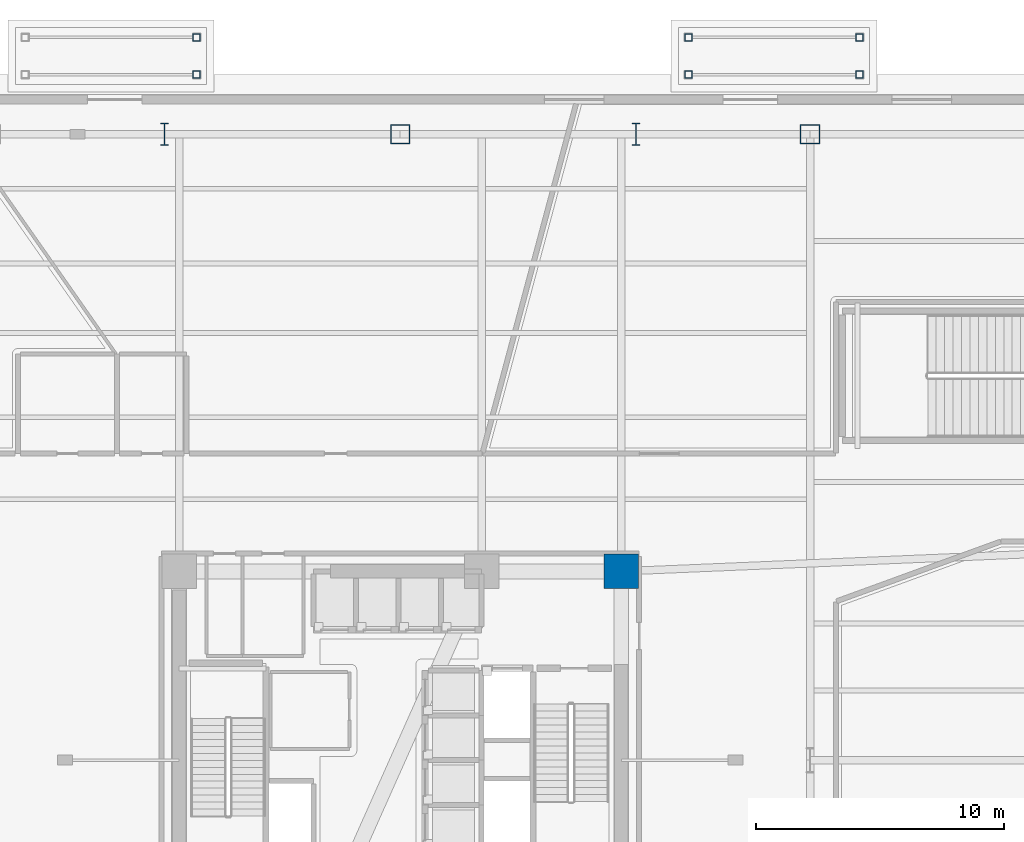
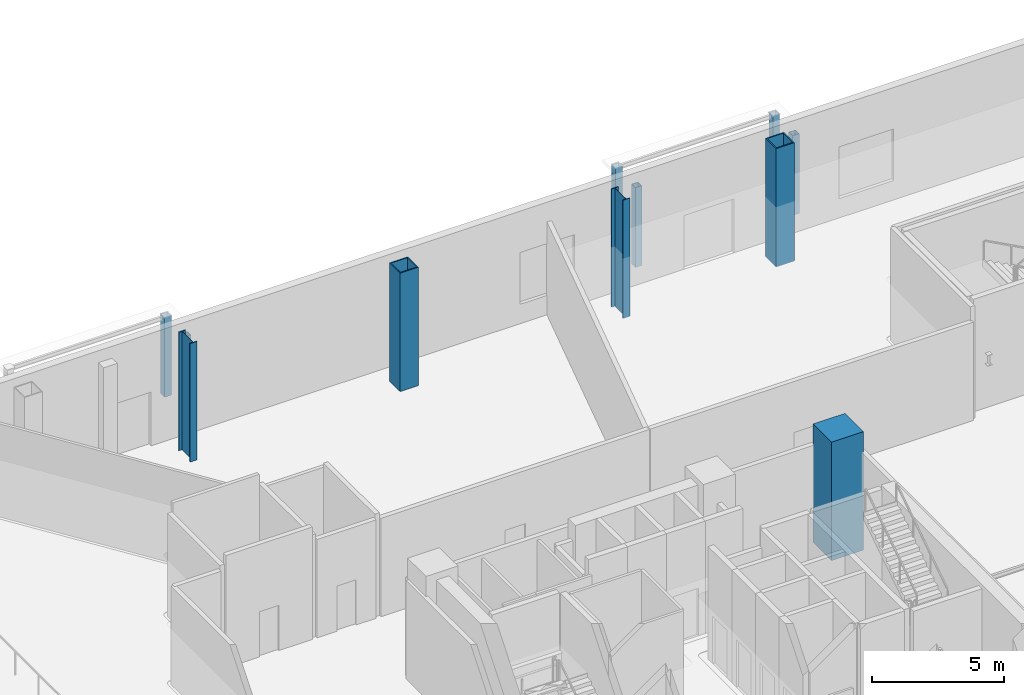
# One storey, part 5 of 27: 11 columns.
"""IFC4 building model written with IfcOpenShell, lengths in metres."""

from ifc_helpers import new_model, si_unit, direction, frame, origin, origin_2d, place, context, subcontext, project, spatial, rectangle, hollow_rectangle, i_section, extrude, material, material_profile, profile_set, type_object, element, save


model = new_model("IFC4")

# Units and contexts
model_context = context("Model", 3, precision=1e-05, world=origin(), true_north=direction((0.0, 1.0)))
body_context = subcontext(model_context, "Body", "Model", "MODEL_VIEW")
ifc_project = project(units=[si_unit("LENGTHUNIT", "METRE"), si_unit("AREAUNIT", "SQUARE_METRE"), si_unit("VOLUMEUNIT", "CUBIC_METRE"), si_unit("PLANEANGLEUNIT", "RADIAN"), si_unit("MASSUNIT", "GRAM", prefix="KILO")], contexts=[model_context])

# Site, building, storey
site_placement = place(None, origin())
site = spatial("IfcSite", under=ifc_project, at=site_placement, CompositionType="ELEMENT")
building_placement = place(site_placement, origin())
building = spatial("IfcBuilding", under=site, at=building_placement, Name="Tharavind Bronze Gate", CompositionType="ELEMENT")
storey_placement = place(building_placement, origin())
storey = spatial("IfcBuildingStorey", under=building, at=storey_placement, Name="L00", CompositionType="ELEMENT", Elevation=0.0)

# Columns
ifc_material_1 = material(Name="Concrete C70/85", Category="concrete")
ifc_material_profile_1 = material_profile(ifc_material_1, rectangle(XDim=1.39990234375, YDim=1.39990234375, at=origin_2d()), Name="RCCOL1400")
ifc_profile_set_1 = profile_set([ifc_material_profile_1], Name="Concrete C70/85")
column_type_1 = type_object("IfcColumnType", Name="MEGA CORE COLUMN 1400", PredefinedType="COLUMN", material=ifc_profile_set_1)
column_placement = place(storey_placement, frame((8.89990234375, 7.60009765625, 0.0), z_axis=(0.0, 0.0, 1.0), x_axis=(1.0, 0.0, 0.0)))
element("IfcColumn", 1, at=column_placement, inside=storey, type_object=column_type_1, Name="L00 core mega column MC4", PredefinedType="COLUMN", context=body_context, shape_type="SweptSolid", body=[
    extrude(rectangle(XDim=1.39990234375, YDim=1.39990234375, at=origin_2d()), origin(), (0.0, 0.0, 1.0), 5.5),
])
ifc_material_2 = material(Name="Steel S460", Category="steel")
ifc_material_profile_2 = material_profile(ifc_material_2, hollow_rectangle(XDim=0.300048828125, YDim=0.300048828125, WallThickness=0.02001953125, at=origin_2d()), Name="SHS300X20")
ifc_profile_set_2 = profile_set([ifc_material_profile_2], Name="Steel S460")
column_type_2 = type_object("IfcColumnType", Name="PERIMETER BOX COLUMN SHS300", PredefinedType="COLUMN", material=ifc_profile_set_2)
for number, where, z_axis, x_axis, name in (
    (2, (-8.199951171875, 27.60009765625, 0.0), (0.0, 0.0, 1.0), (1.0, 0.0, 0.0), "L00 canopy support post CN3B"),
    (3, (-8.199951171875, 29.10009765625, 0.0), (0.0, 0.0, 1.0), (1.0, 0.0, 0.0), "L00 canopy support post CN3C"),
    (4, (11.60009765625, 27.60009765625, 0.0), (0.0, 0.0, 1.0), (1.0, 0.0, 0.0), "L00 canopy support post CN4A"),
    (5, (18.5, 27.60009765625, 0.0), (0.0, 0.0, 1.0), (1.0, 0.0, 0.0), "L00 canopy support post CN4B"),
    (6, (18.5, 29.10009765625, 0.0), (0.0, 0.0, 1.0), (1.0, 0.0, 0.0), "L00 canopy support post CN4C"),
    (7, (11.60009765625, 29.10009765625, 0.0), (0.0, 0.0, 1.0), (1.0, 0.0, 0.0), "L00 canopy support post CN4D"),
):
    element("IfcColumn", number, at=place(storey_placement, frame(where, z_axis=z_axis, x_axis=x_axis)), inside=storey, type_object=column_type_2, Name=name, PredefinedType="COLUMN", context=body_context, shape_type="SweptSolid", body=[
        extrude(hollow_rectangle(XDim=0.300048828125, YDim=0.300048828125, WallThickness=0.02001953125, at=origin_2d()), origin(), (0.0, 0.0, 1.0), 3.699951171875),
    ])
ifc_material_profile_3 = material_profile(ifc_material_2, hollow_rectangle(XDim=0.800048828125, YDim=0.800048828125, WallThickness=0.044921875, at=origin_2d()), Name="SHS800X45")
ifc_profile_set_3 = profile_set([ifc_material_profile_3], Name="Steel S460")
column_type_3 = type_object("IfcColumnType", Name="PERIMETER BOX COLUMN SHS800", PredefinedType="COLUMN", material=ifc_profile_set_3)
for number, where, z_axis, x_axis, name in (
    (8, (0.0, 25.199951171875, 0.0), (0.0, 0.0, 1.0), (1.0, 0.0, 0.0), "L00 podium column PN40"),
    (9, (16.5, 25.199951171875, 0.0), (0.0, 0.0, 1.0), (1.0, 0.0, 0.0), "L00 podium column PN56"),
):
    element("IfcColumn", number, at=place(storey_placement, frame(where, z_axis=z_axis, x_axis=x_axis)), inside=storey, type_object=column_type_3, Name=name, PredefinedType="COLUMN", context=body_context, shape_type="SweptSolid", body=[
        extrude(hollow_rectangle(XDim=0.800048828125, YDim=0.800048828125, WallThickness=0.044921875, at=origin_2d()), origin(), (0.0, 0.0, 1.0), 5.5),
    ])
ifc_material_profile_4 = material_profile(ifc_material_2, i_section(OverallWidth=0.300048828125, OverallDepth=0.89990234375, WebThickness=0.0185546875, FlangeThickness=0.034912109375, at=origin_2d()), Name="HE900B")
ifc_profile_set_4 = profile_set([ifc_material_profile_4], Name="Steel S460")
column_type_4 = type_object("IfcColumnType", Name="PODIUM HALL COLUMN HE900B", PredefinedType="COLUMN", material=ifc_profile_set_4)
for number, where, z_axis, x_axis, name in (
    (10, (-9.5, 25.199951171875, 0.0), (0.0, 0.0, 1.0), (1.0, 0.0, 0.0), "L00 podium column PN30"),
    (11, (9.5, 25.199951171875, 0.0), (0.0, 0.0, 1.0), (1.0, 0.0, 0.0), "L00 podium column PN50"),
):
    element("IfcColumn", number, at=place(storey_placement, frame(where, z_axis=z_axis, x_axis=x_axis)), inside=storey, type_object=column_type_4, Name=name, PredefinedType="COLUMN", context=body_context, shape_type="SweptSolid", body=[
        extrude(i_section(OverallWidth=0.300048828125, OverallDepth=0.89990234375, WebThickness=0.0185546875, FlangeThickness=0.034912109375, at=origin_2d()), origin(), (0.0, 0.0, 1.0), 5.5),
    ])

save(model, "model.ifc")
